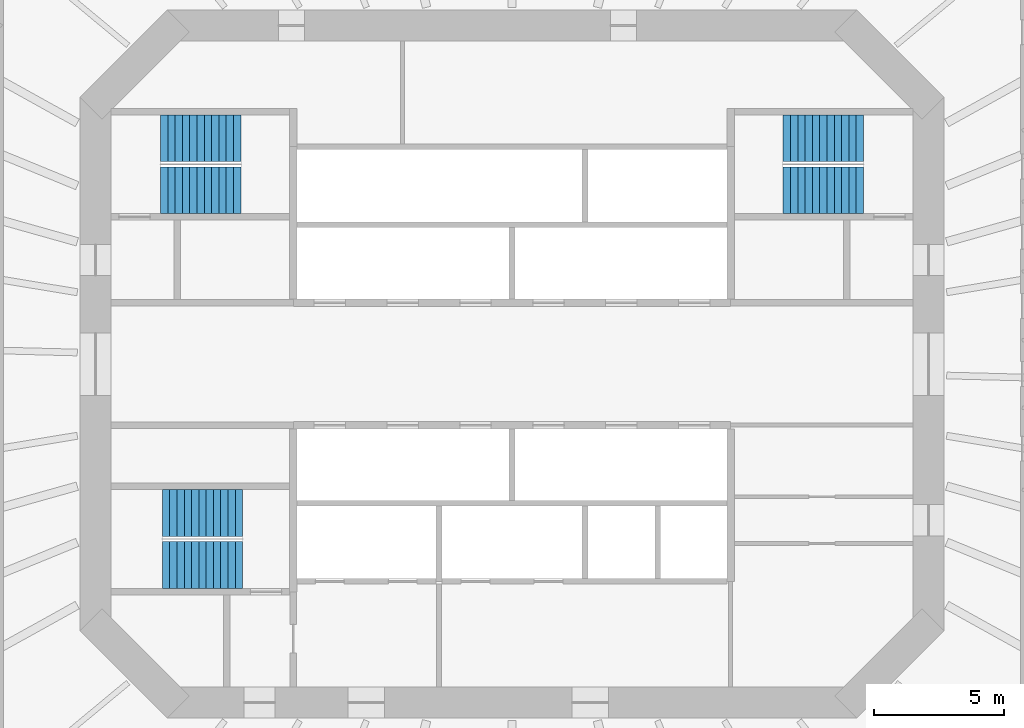
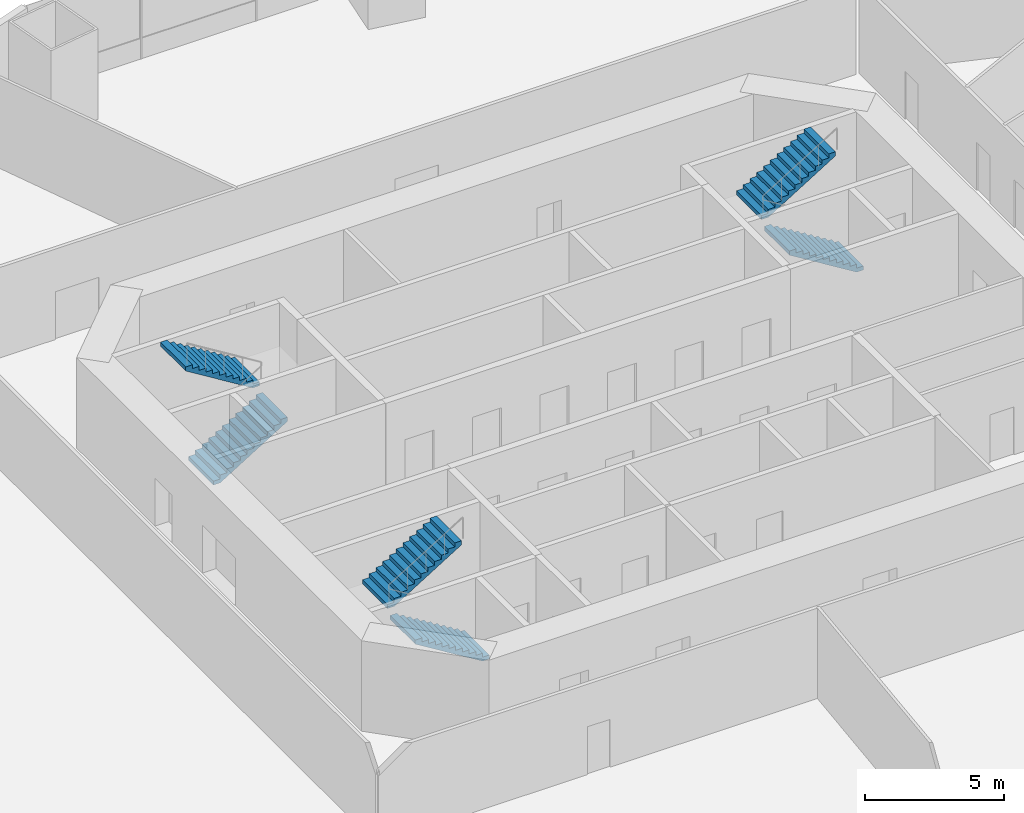
# One storey, part 22 of 27: 6 stair flights, 3 elements without a shape of their own.
"""IFC4 building model written with IfcOpenShell, lengths in metres."""

from ifc_helpers import new_model, si_unit, direction, frame, origin, place, context, subcontext, project, spatial, polyline, outline, extrude, material, type_object, element, aggregate, save


model = new_model("IFC4")

# Units and contexts
model_context = context("Model", 3, precision=1e-05, world=origin(), true_north=direction((0.0, 1.0)))
body_context = subcontext(model_context, "Body", "Model", "MODEL_VIEW")
ifc_project = project(units=[si_unit("LENGTHUNIT", "METRE"), si_unit("AREAUNIT", "SQUARE_METRE"), si_unit("VOLUMEUNIT", "CUBIC_METRE"), si_unit("PLANEANGLEUNIT", "RADIAN"), si_unit("MASSUNIT", "GRAM", prefix="KILO")], contexts=[model_context])

# Site, building, storey
site_placement = place(None, origin())
site = spatial("IfcSite", under=ifc_project, at=site_placement, CompositionType="ELEMENT")
building_placement = place(site_placement, origin())
building = spatial("IfcBuilding", under=site, at=building_placement, Name="Marenthal Gate Tower", CompositionType="ELEMENT")
storey_placement = place(building_placement, frame((0.0, 0.0, 33.0)))
storey = spatial("IfcBuildingStorey", under=building, at=storey_placement, Name="L04", CompositionType="ELEMENT", Elevation=33.0)

# Stair, stair flights
ifc_material_1 = material(Name="Concrete 40 MPa", Category="concrete")
stair_type = type_object("IfcStairType", Name="Exit stair 1800", PredefinedType="HALF_TURN_STAIR", material=ifc_material_1)
stair_1_placement = place(storey_placement, origin())
stair_1 = element("IfcStair", 1, at=stair_1_placement, inside=storey, type_object=stair_type, Name="Stair ST1", PredefinedType="HALF_TURN_STAIR")
ifc_material_2 = material(Name="Concrete 40 MPa", Category="concrete")
stair_flight_type = type_object("IfcStairFlightType", Name="Stair flight 1800", PredefinedType="STRAIGHT", material=ifc_material_2)
stair_flight_1_placement = place(storey_placement, frame((-13.5, 6.675048828125, 0.0), z_axis=(0.0, 0.0, 1.0), x_axis=(1.0, 0.0, 0.0)))
stair_flight_1 = element("IfcStairFlight", 2, at=stair_flight_1_placement, type_object=stair_flight_type, Name="ST1 flight 1", NumberOfRisers=12, NumberOfTreads=11, PredefinedType="STRAIGHT", RiserHeight=0.172916667, TreadLength=0.28, context=body_context, shape_type="SweptSolid", body=[
    extrude(outline(polyline([(0.0, 0.0), (0.0, 0.1728515625), (0.280029296875, 0.1728515625), (0.280029296875, 0.345947265625), (0.56005859375, 0.345947265625), (0.56005859375, 0.518798828125), (0.840087890625, 0.518798828125), (0.840087890625, 0.691650390625), (1.1201171875, 0.691650390625), (1.1201171875, 0.864501953125), (1.39990234375, 0.864501953125), (1.39990234375, 1.03759765625), (1.679931640625, 1.03759765625), (1.679931640625, 1.21044921875), (1.9599609375, 1.21044921875), (1.9599609375, 1.38330078125), (2.239990234375, 1.38330078125), (2.239990234375, 1.55615234375), (2.52001953125, 1.55615234375), (2.52001953125, 1.729248046875), (2.800048828125, 1.729248046875), (2.800048828125, 1.902099609375), (3.080078125, 1.902099609375), (3.080078125, 2.074951171875), (3.080078125, 1.725830078125), (0.285400390625, 0.0), (0.0, 0.0)])), frame((0.0, 0.89990234375, 0.0), z_axis=(0.0, -1.0, 0.0), x_axis=(1.0, 0.0, 0.0)), (0.0, 0.0, 1.0), 1.800048828125),
])
stair_flight_2_placement = place(storey_placement, frame((-10.419921875, 8.675048828125, 2.074951171875), z_axis=(0.0, 0.0, 1.0), x_axis=(-1.0, 0.0, 0.0)))
stair_flight_2 = element("IfcStairFlight", 3, at=stair_flight_2_placement, type_object=stair_flight_type, Name="ST1 flight 2", NumberOfRisers=12, NumberOfTreads=11, PredefinedType="STRAIGHT", RiserHeight=0.172916667, TreadLength=0.28, context=body_context, shape_type="SweptSolid", body=[
    extrude(outline(polyline([(0.0, 0.0), (0.0, 0.1728515625), (0.280029296875, 0.1728515625), (0.280029296875, 0.345947265625), (0.56005859375, 0.345947265625), (0.56005859375, 0.518798828125), (0.840087890625, 0.518798828125), (0.840087890625, 0.691650390625), (1.1201171875, 0.691650390625), (1.1201171875, 0.864501953125), (1.39990234375, 0.864501953125), (1.39990234375, 1.03759765625), (1.679931640625, 1.03759765625), (1.679931640625, 1.21044921875), (1.9599609375, 1.21044921875), (1.9599609375, 1.38330078125), (2.239990234375, 1.38330078125), (2.239990234375, 1.55615234375), (2.52001953125, 1.55615234375), (2.52001953125, 1.729248046875), (2.800048828125, 1.729248046875), (2.800048828125, 1.902099609375), (3.080078125, 1.902099609375), (3.080078125, 2.074951171875), (3.080078125, 1.725830078125), (0.285400390625, 0.0), (0.0, 0.0)])), frame((0.0, 0.89990234375, 0.0), z_axis=(0.0, -1.0, 0.0), x_axis=(1.0, 0.0, 0.0)), (0.0, 0.0, 1.0), 1.800048828125),
])
aggregate(stair_1, [stair_flight_1, stair_flight_2])

stair_2_placement = place(storey_placement, origin())
stair_2 = element("IfcStair", 4, at=stair_2_placement, inside=storey, type_object=stair_type, Name="Stair ST2", PredefinedType="HALF_TURN_STAIR")
stair_flight_3_placement = place(storey_placement, frame((-10.35009765625, -7.72509765625, 0.0), z_axis=(0.0, 0.0, 1.0), x_axis=(-1.0, 0.0, 0.0)))
stair_flight_3 = element("IfcStairFlight", 5, at=stair_flight_3_placement, type_object=stair_flight_type, Name="ST2 flight 1", NumberOfRisers=12, NumberOfTreads=11, PredefinedType="STRAIGHT", RiserHeight=0.172916667, TreadLength=0.28, context=body_context, shape_type="SweptSolid", body=[
    extrude(outline(polyline([(0.0, 0.0), (0.0, 0.1728515625), (0.280029296875, 0.1728515625), (0.280029296875, 0.345947265625), (0.56005859375, 0.345947265625), (0.56005859375, 0.518798828125), (0.840087890625, 0.518798828125), (0.840087890625, 0.691650390625), (1.1201171875, 0.691650390625), (1.1201171875, 0.864501953125), (1.39990234375, 0.864501953125), (1.39990234375, 1.03759765625), (1.679931640625, 1.03759765625), (1.679931640625, 1.21044921875), (1.9599609375, 1.21044921875), (1.9599609375, 1.38330078125), (2.239990234375, 1.38330078125), (2.239990234375, 1.55615234375), (2.52001953125, 1.55615234375), (2.52001953125, 1.729248046875), (2.800048828125, 1.729248046875), (2.800048828125, 1.902099609375), (3.080078125, 1.902099609375), (3.080078125, 2.074951171875), (3.080078125, 1.725830078125), (0.285400390625, 0.0), (0.0, 0.0)])), frame((0.0, 0.89990234375, 0.0), z_axis=(0.0, -1.0, 0.0), x_axis=(1.0, 0.0, 0.0)), (0.0, 0.0, 1.0), 1.800048828125),
])
stair_flight_4_placement = place(storey_placement, frame((-13.429931640625, -5.72509765625, 2.074951171875), z_axis=(0.0, 0.0, 1.0), x_axis=(1.0, 0.0, 0.0)))
stair_flight_4 = element("IfcStairFlight", 6, at=stair_flight_4_placement, type_object=stair_flight_type, Name="ST2 flight 2", NumberOfRisers=12, NumberOfTreads=11, PredefinedType="STRAIGHT", RiserHeight=0.172916667, TreadLength=0.28, context=body_context, shape_type="SweptSolid", body=[
    extrude(outline(polyline([(0.0, 0.0), (0.0, 0.1728515625), (0.280029296875, 0.1728515625), (0.280029296875, 0.345947265625), (0.56005859375, 0.345947265625), (0.56005859375, 0.518798828125), (0.840087890625, 0.518798828125), (0.840087890625, 0.691650390625), (1.1201171875, 0.691650390625), (1.1201171875, 0.864501953125), (1.39990234375, 0.864501953125), (1.39990234375, 1.03759765625), (1.679931640625, 1.03759765625), (1.679931640625, 1.21044921875), (1.9599609375, 1.21044921875), (1.9599609375, 1.38330078125), (2.239990234375, 1.38330078125), (2.239990234375, 1.55615234375), (2.52001953125, 1.55615234375), (2.52001953125, 1.729248046875), (2.800048828125, 1.729248046875), (2.800048828125, 1.902099609375), (3.080078125, 1.902099609375), (3.080078125, 2.074951171875), (3.080078125, 1.725830078125), (0.285400390625, 0.0), (0.0, 0.0)])), frame((0.0, 0.89990234375, 0.0), z_axis=(0.0, -1.0, 0.0), x_axis=(1.0, 0.0, 0.0)), (0.0, 0.0, 1.0), 1.800048828125),
])
aggregate(stair_2, [stair_flight_3, stair_flight_4])

stair_3_placement = place(storey_placement, origin())
stair_3 = element("IfcStair", 7, at=stair_3_placement, inside=storey, type_object=stair_type, Name="Stair ST3", PredefinedType="HALF_TURN_STAIR")
stair_flight_5_placement = place(storey_placement, frame((13.5, 6.675048828125, 0.0), z_axis=(0.0, 0.0, 1.0), x_axis=(-1.0, 0.0, 0.0)))
stair_flight_5 = element("IfcStairFlight", 8, at=stair_flight_5_placement, type_object=stair_flight_type, Name="ST3 flight 1", NumberOfRisers=12, NumberOfTreads=11, PredefinedType="STRAIGHT", RiserHeight=0.172916667, TreadLength=0.28, context=body_context, shape_type="SweptSolid", body=[
    extrude(outline(polyline([(0.0, 0.0), (0.0, 0.1728515625), (0.280029296875, 0.1728515625), (0.280029296875, 0.345947265625), (0.56005859375, 0.345947265625), (0.56005859375, 0.518798828125), (0.840087890625, 0.518798828125), (0.840087890625, 0.691650390625), (1.1201171875, 0.691650390625), (1.1201171875, 0.864501953125), (1.39990234375, 0.864501953125), (1.39990234375, 1.03759765625), (1.679931640625, 1.03759765625), (1.679931640625, 1.21044921875), (1.9599609375, 1.21044921875), (1.9599609375, 1.38330078125), (2.239990234375, 1.38330078125), (2.239990234375, 1.55615234375), (2.52001953125, 1.55615234375), (2.52001953125, 1.729248046875), (2.800048828125, 1.729248046875), (2.800048828125, 1.902099609375), (3.080078125, 1.902099609375), (3.080078125, 2.074951171875), (3.080078125, 1.725830078125), (0.285400390625, 0.0), (0.0, 0.0)])), frame((0.0, 0.89990234375, 0.0), z_axis=(0.0, -1.0, 0.0), x_axis=(1.0, 0.0, 0.0)), (0.0, 0.0, 1.0), 1.800048828125),
])
stair_flight_6_placement = place(storey_placement, frame((10.419921875, 8.675048828125, 2.074951171875), z_axis=(0.0, 0.0, 1.0), x_axis=(1.0, 0.0, 0.0)))
stair_flight_6 = element("IfcStairFlight", 9, at=stair_flight_6_placement, type_object=stair_flight_type, Name="ST3 flight 2", NumberOfRisers=12, NumberOfTreads=11, PredefinedType="STRAIGHT", RiserHeight=0.172916667, TreadLength=0.28, context=body_context, shape_type="SweptSolid", body=[
    extrude(outline(polyline([(0.0, 0.0), (0.0, 0.1728515625), (0.280029296875, 0.1728515625), (0.280029296875, 0.345947265625), (0.56005859375, 0.345947265625), (0.56005859375, 0.518798828125), (0.840087890625, 0.518798828125), (0.840087890625, 0.691650390625), (1.1201171875, 0.691650390625), (1.1201171875, 0.864501953125), (1.39990234375, 0.864501953125), (1.39990234375, 1.03759765625), (1.679931640625, 1.03759765625), (1.679931640625, 1.21044921875), (1.9599609375, 1.21044921875), (1.9599609375, 1.38330078125), (2.239990234375, 1.38330078125), (2.239990234375, 1.55615234375), (2.52001953125, 1.55615234375), (2.52001953125, 1.729248046875), (2.800048828125, 1.729248046875), (2.800048828125, 1.902099609375), (3.080078125, 1.902099609375), (3.080078125, 2.074951171875), (3.080078125, 1.725830078125), (0.285400390625, 0.0), (0.0, 0.0)])), frame((0.0, 0.89990234375, 0.0), z_axis=(0.0, -1.0, 0.0), x_axis=(1.0, 0.0, 0.0)), (0.0, 0.0, 1.0), 1.800048828125),
])
aggregate(stair_3, [stair_flight_5, stair_flight_6])

save(model, "model.ifc")
